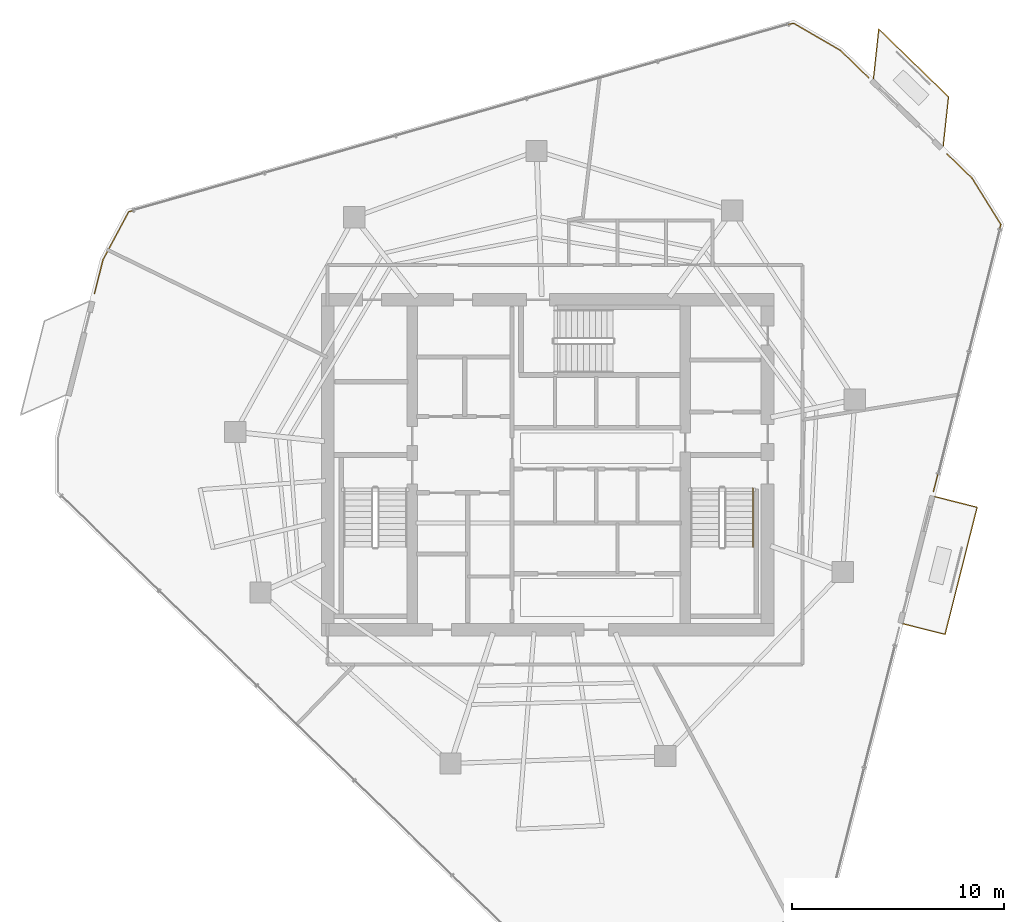
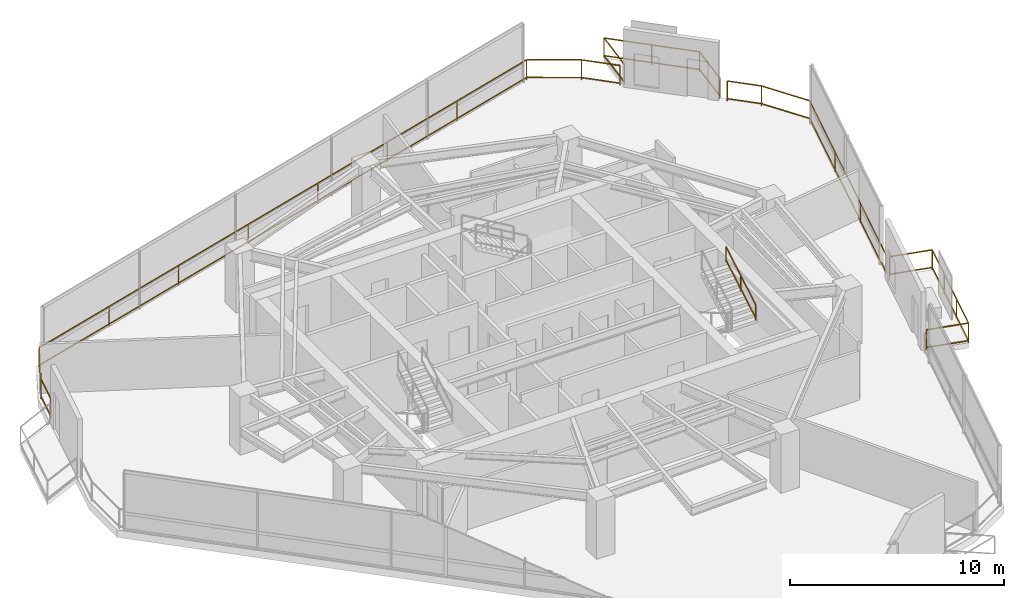
# One storey, part 19 of 19: 6 railings.
"""IFC4 building model written with IfcOpenShell, lengths in metres."""

from ifc_helpers import new_model, si_unit, direction, frame, origin, origin_2d, place, context, subcontext, project, spatial, rectangle, extrude, material, type_object, element, save


model = new_model("IFC4")

# Units and contexts
model_context = context("Model", 3, precision=1e-05, world=origin(), true_north=direction((0.0, 1.0)))
body_context = subcontext(model_context, "Body", "Model", "MODEL_VIEW")
ifc_project = project(units=[si_unit("LENGTHUNIT", "METRE"), si_unit("AREAUNIT", "SQUARE_METRE"), si_unit("VOLUMEUNIT", "CUBIC_METRE"), si_unit("PLANEANGLEUNIT", "RADIAN"), si_unit("MASSUNIT", "GRAM", prefix="KILO")], contexts=[model_context])

# Site, building, storey
site_placement = place(None, origin())
site = spatial("IfcSite", under=ifc_project, at=site_placement, CompositionType="ELEMENT")
building_placement = place(site_placement, origin())
building = spatial("IfcBuilding", under=site, at=building_placement, Name="Qarnah Convention Tower", CompositionType="ELEMENT")
storey_placement = place(building_placement, frame((0.0, 0.0, 125.699951171875)))
storey = spatial("IfcBuildingStorey", under=building, at=storey_placement, Name="L33", CompositionType="ELEMENT", Elevation=125.699951171875)

# Railings
ifc_material_1 = material(Name="Tempered Low-E dark glass", Category="glass")
railing_type_1 = type_object("IfcRailingType", Name="RL-BALUSTRADE-1150", PredefinedType="BALUSTRADE", material=ifc_material_1)
railing_1_placement = place(storey_placement, frame((55.52099609375, 24.89111328125, 0.0)))
element("IfcRailing", 1, at=railing_1_placement, inside=storey, type_object=railing_type_1, Name="L33 balcony safety guard SG-L33", PredefinedType="BALUSTRADE", context=body_context, shape_type="SweptSolid", body=[
    extrude(rectangle(XDim=0.048095703125, YDim=0.048095703125, at=origin_2d()), frame((0.0, 0.0, 1.1259765625), z_axis=(0.969544253852, -0.244916189386, 0.0), x_axis=(0.244916189386, 0.969544253852, 0.0)), (0.0, 0.0, 1.0), 2.050537109375),
    extrude(rectangle(XDim=0.048095703125, YDim=0.048095703125, at=origin_2d()), frame((0.0, 0.0, 0.1201171875), z_axis=(0.969544253852, -0.244916189386, 0.0), x_axis=(0.244916189386, 0.969544253852, 0.0)), (0.0, 0.0, 1.0), 2.050537109375),
    extrude(rectangle(XDim=0.048095703125, YDim=0.048095703125, at=origin_2d()), frame((1.988037109375, -0.502197265625, 1.1259765625), z_axis=(-0.244712542918, -0.969595674154, 0.0), x_axis=(0.969595674154, -0.244712542918, 0.0)), (0.0, 0.0, 1.0), 6.199462890625),
    extrude(rectangle(XDim=0.048095703125, YDim=0.048095703125, at=origin_2d()), frame((1.988037109375, -0.502197265625, 0.1201171875), z_axis=(-0.244712542918, -0.969595674154, 0.0), x_axis=(0.969595674154, -0.244712542918, 0.0)), (0.0, 0.0, 1.0), 6.199462890625),
    extrude(rectangle(XDim=0.048095703125, YDim=0.048095703125, at=origin_2d()), frame((0.470947265625, -6.51318359375, 1.1259765625), z_axis=(-0.969657015413, 0.244469369164, 0.0), x_axis=(-0.244469369164, -0.969657015413, 0.0)), (0.0, 0.0, 1.0), 2.04931640625),
    extrude(rectangle(XDim=0.048095703125, YDim=0.048095703125, at=origin_2d()), frame((0.470947265625, -6.51318359375, 0.1201171875), z_axis=(-0.969657015413, 0.244469369164, 0.0), x_axis=(-0.244469369164, -0.969657015413, 0.0)), (0.0, 0.0, 1.0), 2.04931640625),
    extrude(rectangle(XDim=0.0419921875, YDim=0.0419921875, at=origin_2d()), origin(), (0.0, 0.0, 1.0), 1.101806640625),
    extrude(rectangle(XDim=0.0419921875, YDim=0.0419921875, at=origin_2d()), frame((1.988037109375, -0.502197265625, 0.0)), (0.0, 0.0, 1.0), 1.101806640625),
    extrude(rectangle(XDim=0.0419921875, YDim=0.0419921875, at=origin_2d()), frame((1.482421875, -2.505859375, 0.0)), (0.0, 0.0, 1.0), 1.101806640625),
    extrude(rectangle(XDim=0.0419921875, YDim=0.0419921875, at=origin_2d()), frame((0.9765625, -4.509521484375, 0.0)), (0.0, 0.0, 1.0), 1.101806640625),
    extrude(rectangle(XDim=0.0419921875, YDim=0.0419921875, at=origin_2d()), frame((0.470947265625, -6.51318359375, 0.0)), (0.0, 0.0, 1.0), 1.101806640625),
    extrude(rectangle(XDim=0.0419921875, YDim=0.0419921875, at=origin_2d()), frame((-1.51611328125, -6.01220703125, 0.0)), (0.0, 0.0, 1.0), 1.101806640625),
])
ifc_material_2 = material(Name="Black anodised aluminium", Category="aluminium")
railing_type_2 = type_object("IfcRailingType", Name="RL-EXT-GUARD-1150", PredefinedType="GUARDRAIL", material=ifc_material_2)
railing_2_placement = place(storey_placement, frame((51.049072265625, 45.987060546875, 0.0)))
element("IfcRailing", 2, at=railing_2_placement, inside=storey, type_object=railing_type_2, Name="L33 slab-edge perimeter safety guard 01", PredefinedType="GUARDRAIL", context=body_context, shape_type="SweptSolid", body=[
    extrude(rectangle(XDim=0.048095703125, YDim=0.048095703125, at=origin_2d()), frame((0.0, 0.0, 1.1259765625), z_axis=(0.717183994243, -0.696883862923, 0.0), x_axis=(0.696883862923, 0.717183994243, 0.0)), (0.0, 0.0, 1.0), 1.864013671875),
    extrude(rectangle(XDim=0.048095703125, YDim=0.048095703125, at=origin_2d()), frame((0.0, 0.0, 0.1201171875), z_axis=(0.717183994243, -0.696883862923, 0.0), x_axis=(0.696883862923, 0.717183994243, 0.0)), (0.0, 0.0, 1.0), 1.864013671875),
    extrude(rectangle(XDim=0.0419921875, YDim=0.0419921875, at=origin_2d()), origin(), (0.0, 0.0, 1.0), 1.101806640625),
    extrude(rectangle(XDim=0.0419921875, YDim=0.0419921875, at=origin_2d()), frame((1.3369140625, -1.299072265625, 0.0)), (0.0, 0.0, 1.0), 1.101806640625),
])
railing_3_placement = place(storey_placement, frame((56.0869140625, 41.093994140625, 0.0)))
element("IfcRailing", 3, at=railing_3_placement, inside=storey, type_object=railing_type_2, Name="L33 slab-edge perimeter safety guard 02", PredefinedType="GUARDRAIL", context=body_context, shape_type="SweptSolid", body=[
    extrude(rectangle(XDim=0.048095703125, YDim=0.048095703125, at=origin_2d()), frame((0.0, 0.0, 1.1259765625), z_axis=(0.717294139712, -0.696770491005, 0.0), x_axis=(0.696770491005, 0.717294139712, 0.0)), (0.0, 0.0, 1.0), 1.653564453125),
    extrude(rectangle(XDim=0.048095703125, YDim=0.048095703125, at=origin_2d()), frame((0.0, 0.0, 0.1201171875), z_axis=(0.717294139712, -0.696770491005, 0.0), x_axis=(0.696770491005, 0.717294139712, 0.0)), (0.0, 0.0, 1.0), 1.653564453125),
    extrude(rectangle(XDim=0.048095703125, YDim=0.048095703125, at=origin_2d()), frame((1.18603515625, -1.152099609375, 1.1259765625), z_axis=(0.527561608525, -0.849516773943, 0.0), x_axis=(0.849516773943, 0.527561608525, 0.0)), (0.0, 0.0, 1.0), 2.568359375),
    extrude(rectangle(XDim=0.048095703125, YDim=0.048095703125, at=origin_2d()), frame((1.18603515625, -1.152099609375, 0.1201171875), z_axis=(0.527561608525, -0.849516773943, 0.0), x_axis=(0.849516773943, 0.527561608525, 0.0)), (0.0, 0.0, 1.0), 2.568359375),
    extrude(rectangle(XDim=0.048095703125, YDim=0.048095703125, at=origin_2d()), frame((2.541015625, -3.333984375, 1.1259765625), z_axis=(-0.244635414343, -0.969615137077, 0.0), x_axis=(0.969615137077, -0.244635414343, 0.0)), (0.0, 0.0, 1.0), 13.0185546875),
    extrude(rectangle(XDim=0.048095703125, YDim=0.048095703125, at=origin_2d()), frame((2.541015625, -3.333984375, 0.1201171875), z_axis=(-0.244635414343, -0.969615137077, 0.0), x_axis=(0.969615137077, -0.244635414343, 0.0)), (0.0, 0.0, 1.0), 13.0185546875),
    extrude(rectangle(XDim=0.0419921875, YDim=0.0419921875, at=origin_2d()), origin(), (0.0, 0.0, 1.0), 1.101806640625),
    extrude(rectangle(XDim=0.0419921875, YDim=0.0419921875, at=origin_2d()), frame((1.18603515625, -1.152099609375, 0.0)), (0.0, 0.0, 1.0), 1.101806640625),
    extrude(rectangle(XDim=0.0419921875, YDim=0.0419921875, at=origin_2d()), frame((2.541015625, -3.333984375, 0.0)), (0.0, 0.0, 1.0), 1.101806640625),
    extrude(rectangle(XDim=0.0419921875, YDim=0.0419921875, at=origin_2d()), frame((1.4794921875, -7.541748046875, 0.0)), (0.0, 0.0, 1.0), 1.101806640625),
    extrude(rectangle(XDim=0.0419921875, YDim=0.0419921875, at=origin_2d()), frame((0.417724609375, -11.749267578125, 0.0)), (0.0, 0.0, 1.0), 1.101806640625),
    extrude(rectangle(XDim=0.0419921875, YDim=0.0419921875, at=origin_2d()), frame((-0.643798828125, -15.95703125, 0.0)), (0.0, 0.0, 1.0), 1.101806640625),
])
railing_4_placement = place(storey_placement, frame((15.77587890625, 34.489990234375, 0.0)))
element("IfcRailing", 4, at=railing_4_placement, inside=storey, type_object=railing_type_2, Name="L33 slab-edge perimeter safety guard 05", PredefinedType="GUARDRAIL", context=body_context, shape_type="SweptSolid", body=[
    extrude(rectangle(XDim=0.048095703125, YDim=0.048095703125, at=origin_2d()), frame((0.0, 0.0, 1.1259765625), z_axis=(0.244966899661, 0.969531442538, 0.0), x_axis=(-0.969531442538, 0.244966899661, 0.0)), (0.0, 0.0, 1.0), 1.6533203125),
    extrude(rectangle(XDim=0.048095703125, YDim=0.048095703125, at=origin_2d()), frame((0.0, 0.0, 0.1201171875), z_axis=(0.244966899661, 0.969531442538, 0.0), x_axis=(-0.969531442538, 0.244966899661, 0.0)), (0.0, 0.0, 1.0), 1.6533203125),
    extrude(rectangle(XDim=0.048095703125, YDim=0.048095703125, at=origin_2d()), frame((0.405029296875, 1.60302734375, 1.1259765625), z_axis=(0.471865333454, 0.881670634129, 0.0), x_axis=(-0.881670634129, 0.471865333454, 0.0)), (0.0, 0.0, 1.0), 2.56884765625),
    extrude(rectangle(XDim=0.048095703125, YDim=0.048095703125, at=origin_2d()), frame((0.405029296875, 1.60302734375, 0.1201171875), z_axis=(0.471865333454, 0.881670634129, 0.0), x_axis=(-0.881670634129, 0.471865333454, 0.0)), (0.0, 0.0, 1.0), 2.56884765625),
    extrude(rectangle(XDim=0.048095703125, YDim=0.048095703125, at=origin_2d()), frame((1.6171875, 3.867919921875, 1.1259765625), z_axis=(0.962034861369, 0.272926593631, 0.0), x_axis=(-0.272926593631, 0.962034861369, 0.0)), (0.0, 0.0, 1.0), 32.67529296875),
    extrude(rectangle(XDim=0.048095703125, YDim=0.048095703125, at=origin_2d()), frame((1.6171875, 3.867919921875, 0.1201171875), z_axis=(0.962034861369, 0.272926593631, 0.0), x_axis=(-0.272926593631, 0.962034861369, 0.0)), (0.0, 0.0, 1.0), 32.67529296875),
    extrude(rectangle(XDim=0.048095703125, YDim=0.048095703125, at=origin_2d()), frame((33.052001953125, 12.785888671875, 1.1259765625), z_axis=(0.86494205332, -0.501871740984, 0.0), x_axis=(0.501871740984, 0.86494205332, 0.0)), (0.0, 0.0, 1.0), 2.568115234375),
    extrude(rectangle(XDim=0.048095703125, YDim=0.048095703125, at=origin_2d()), frame((33.052001953125, 12.785888671875, 0.1201171875), z_axis=(0.86494205332, -0.501871740984, 0.0), x_axis=(0.501871740984, 0.86494205332, 0.0)), (0.0, 0.0, 1.0), 2.568115234375),
    extrude(rectangle(XDim=0.0419921875, YDim=0.0419921875, at=origin_2d()), origin(), (0.0, 0.0, 1.0), 1.101806640625),
    extrude(rectangle(XDim=0.0419921875, YDim=0.0419921875, at=origin_2d()), frame((0.405029296875, 1.60302734375, 0.0)), (0.0, 0.0, 1.0), 1.101806640625),
    extrude(rectangle(XDim=0.0419921875, YDim=0.0419921875, at=origin_2d()), frame((1.6171875, 3.867919921875, 0.0)), (0.0, 0.0, 1.0), 1.101806640625),
    extrude(rectangle(XDim=0.0419921875, YDim=0.0419921875, at=origin_2d()), frame((6.10791015625, 5.141845703125, 0.0)), (0.0, 0.0, 1.0), 1.101806640625),
    extrude(rectangle(XDim=0.0419921875, YDim=0.0419921875, at=origin_2d()), frame((10.5986328125, 6.416015625, 0.0)), (0.0, 0.0, 1.0), 1.101806640625),
    extrude(rectangle(XDim=0.0419921875, YDim=0.0419921875, at=origin_2d()), frame((15.08935546875, 7.68994140625, 0.0)), (0.0, 0.0, 1.0), 1.101806640625),
    extrude(rectangle(XDim=0.0419921875, YDim=0.0419921875, at=origin_2d()), frame((19.579833984375, 8.9638671875, 0.0)), (0.0, 0.0, 1.0), 1.101806640625),
    extrude(rectangle(XDim=0.0419921875, YDim=0.0419921875, at=origin_2d()), frame((24.070556640625, 10.23779296875, 0.0)), (0.0, 0.0, 1.0), 1.101806640625),
    extrude(rectangle(XDim=0.0419921875, YDim=0.0419921875, at=origin_2d()), frame((28.561279296875, 11.511962890625, 0.0)), (0.0, 0.0, 1.0), 1.101806640625),
    extrude(rectangle(XDim=0.0419921875, YDim=0.0419921875, at=origin_2d()), frame((33.052001953125, 12.785888671875, 0.0)), (0.0, 0.0, 1.0), 1.101806640625),
    extrude(rectangle(XDim=0.0419921875, YDim=0.0419921875, at=origin_2d()), frame((35.273193359375, 11.4970703125, 0.0)), (0.0, 0.0, 1.0), 1.101806640625),
])
railing_5_placement = place(storey_placement, frame((52.60498046875, 44.6630859375, 0.0)))
element("IfcRailing", 5, at=railing_5_placement, inside=storey, type_object=railing_type_2, Name="L33 balcony safety guard BAL-L33-C1", PredefinedType="GUARDRAIL", context=body_context, shape_type="SweptSolid", body=[
    extrude(rectangle(XDim=0.048095703125, YDim=0.048095703125, at=origin_2d()), frame((0.0, 0.0, 1.1259765625), z_axis=(0.107326257187, 0.994223855336, 0.0), x_axis=(-0.994223855336, 0.107326257187, 0.0)), (0.0, 0.0, 1.0), 2.34765625),
    extrude(rectangle(XDim=0.048095703125, YDim=0.048095703125, at=origin_2d()), frame((0.0, 0.0, 0.1201171875), z_axis=(0.107326257187, 0.994223855336, 0.0), x_axis=(-0.994223855336, 0.107326257187, 0.0)), (0.0, 0.0, 1.0), 2.34765625),
    extrude(rectangle(XDim=0.048095703125, YDim=0.048095703125, at=origin_2d()), frame((0.251953125, 2.333984375, 1.1259765625), z_axis=(0.717353644249, -0.696709228504, 0.0), x_axis=(0.696709228504, 0.717353644249, 0.0)), (0.0, 0.0, 1.0), 4.600341796875),
    extrude(rectangle(XDim=0.048095703125, YDim=0.048095703125, at=origin_2d()), frame((0.251953125, 2.333984375, 0.1201171875), z_axis=(0.717353644249, -0.696709228504, 0.0), x_axis=(0.696709228504, 0.717353644249, 0.0)), (0.0, 0.0, 1.0), 4.600341796875),
    extrude(rectangle(XDim=0.048095703125, YDim=0.048095703125, at=origin_2d()), frame((3.552001953125, -0.87109375, 1.1259765625), z_axis=(-0.107326257187, -0.994223855336, 0.0), x_axis=(0.994223855336, -0.107326257187, 0.0)), (0.0, 0.0, 1.0), 2.34765625),
    extrude(rectangle(XDim=0.048095703125, YDim=0.048095703125, at=origin_2d()), frame((3.552001953125, -0.87109375, 0.1201171875), z_axis=(-0.107326257187, -0.994223855336, 0.0), x_axis=(0.994223855336, -0.107326257187, 0.0)), (0.0, 0.0, 1.0), 2.34765625),
    extrude(rectangle(XDim=0.0419921875, YDim=0.0419921875, at=origin_2d()), origin(), (0.0, 0.0, 1.0), 1.101806640625),
    extrude(rectangle(XDim=0.0419921875, YDim=0.0419921875, at=origin_2d()), frame((0.251953125, 2.333984375, 0.0)), (0.0, 0.0, 1.0), 1.101806640625),
    extrude(rectangle(XDim=0.0419921875, YDim=0.0419921875, at=origin_2d()), frame((1.90185546875, 0.7314453125, 0.0)), (0.0, 0.0, 1.0), 1.101806640625),
    extrude(rectangle(XDim=0.0419921875, YDim=0.0419921875, at=origin_2d()), frame((3.552001953125, -0.87109375, 0.0)), (0.0, 0.0, 1.0), 1.101806640625),
    extrude(rectangle(XDim=0.0419921875, YDim=0.0419921875, at=origin_2d()), frame((3.300048828125, -3.205078125, 0.0)), (0.0, 0.0, 1.0), 1.101806640625),
])
ifc_material_3 = material(Name="Structural steel S355JR", Category="steel")
railing_type_3 = type_object("IfcRailingType", Name="RL-STAIR-HAND-900", PredefinedType="HANDRAIL", material=ifc_material_3)
railing_6_placement = place(storey_placement, frame((46.89990234375, 22.5, 1.963623046875)))
element("IfcRailing", 6, at=railing_6_placement, inside=storey, type_object=railing_type_3, Name="L33 ST-2 stair handrail 2", PredefinedType="HANDRAIL", context=body_context, shape_type="SweptSolid", body=[
    extrude(rectangle(XDim=0.048095703125, YDim=0.048095703125, at=origin_2d()), frame((0.0, 0.0, 0.8759765625), z_axis=(0.0, 0.863360870873, 0.504586966384), x_axis=(-1.0, 0.0, 0.0)), (0.0, 0.0, 1.0), 3.2431640625),
    extrude(rectangle(XDim=0.048095703125, YDim=0.048095703125, at=origin_2d()), frame((0.0, 0.0, 0.1201171875), z_axis=(0.0, 0.863360870873, 0.504586966384), x_axis=(-1.0, 0.0, 0.0)), (0.0, 0.0, 1.0), 3.2431640625),
    extrude(rectangle(XDim=0.0419921875, YDim=0.0419921875, at=origin_2d()), origin(), (0.0, 0.0, 1.0), 0.851806640625),
    extrude(rectangle(XDim=0.0419921875, YDim=0.0419921875, at=origin_2d()), frame((0.0, 1.39990234375, 0.818359375)), (0.0, 0.0, 1.0), 0.851806640625),
    extrude(rectangle(XDim=0.0419921875, YDim=0.0419921875, at=origin_2d()), frame((0.0, 2.800048828125, 1.636474609375)), (0.0, 0.0, 1.0), 0.851806640625),
])

save(model, "model.ifc")
